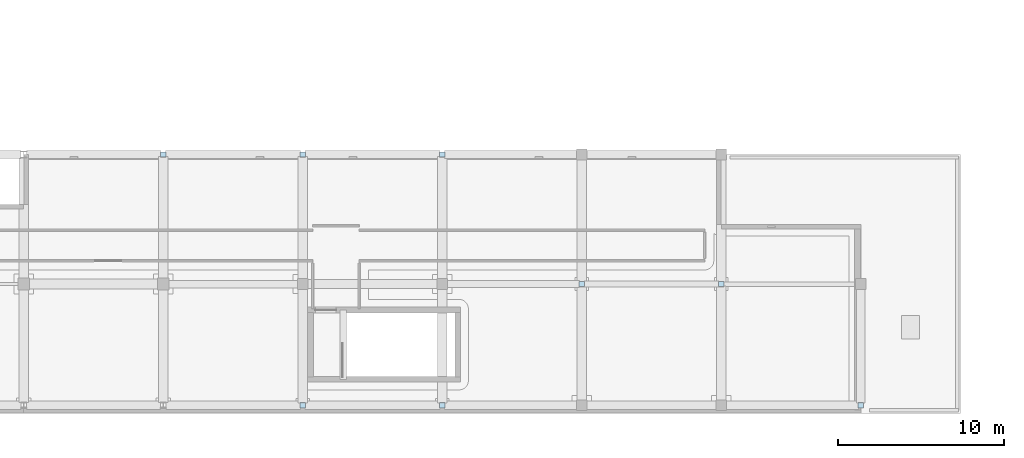
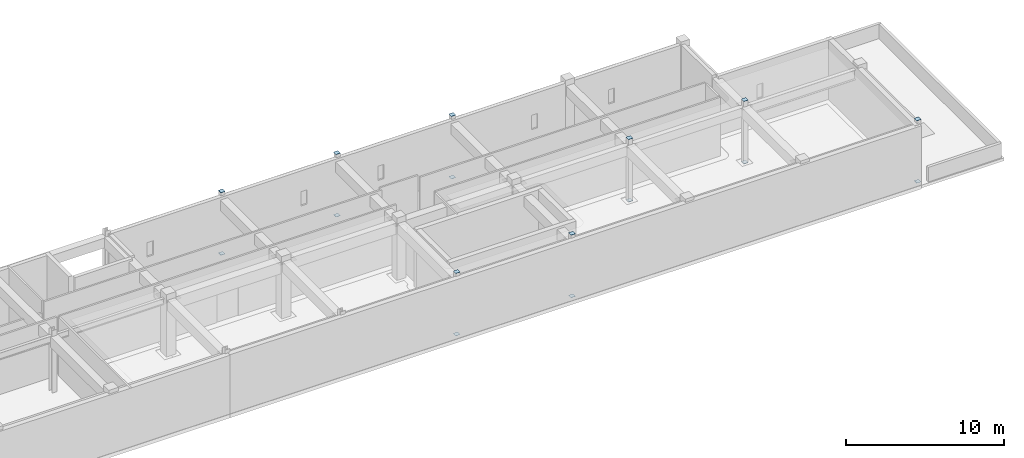
# One storey, part 100 of 123: 16 plates.
"""IFC4 building model written with IfcOpenShell, lengths in metres."""

from ifc_helpers import new_model, si_unit, direction, frame, origin, origin_2d, place, context, subcontext, project, spatial, rectangle, extrude, material, layer, layer_set, type_object, element, save


model = new_model("IFC4")

# Units and contexts
model_context = context("Model", 3, precision=1e-05, world=origin(), true_north=direction((0.0, 1.0)))
body_context = subcontext(model_context, "Body", "Model", "MODEL_VIEW")
ifc_project = project(units=[si_unit("LENGTHUNIT", "METRE"), si_unit("AREAUNIT", "SQUARE_METRE"), si_unit("VOLUMEUNIT", "CUBIC_METRE"), si_unit("PLANEANGLEUNIT", "RADIAN"), si_unit("MASSUNIT", "GRAM", prefix="KILO")], contexts=[model_context])

# Site, building, storey
site_placement = place(None, origin())
site = spatial("IfcSite", under=ifc_project, at=site_placement, CompositionType="ELEMENT")
building_placement = place(site_placement, origin())
building = spatial("IfcBuilding", under=site, at=building_placement, Name="Quendrovan Civic Courthouse", CompositionType="ELEMENT")
storey_placement = place(building_placement, frame((0.0, 0.0, 5.39990234375)))
storey = spatial("IfcBuildingStorey", under=building, at=storey_placement, Name="L02", CompositionType="ELEMENT", Elevation=5.39990234375)

# Plates
ifc_material = material(Name="Steel ASTM A572 Grade 50", Category="steel")
ifc_layer = layer(ifc_material, 0.011962890625, Name="Steel ASTM A572 Grade 50")
ifc_layer_set = layer_set([ifc_layer], Name="Steel ASTM A572 Grade 50")
plate_type = type_object("IfcPlateType", Name="PLT-CAP-12", PredefinedType="SHEET", material=ifc_layer_set)
for number, where, z_axis, x_axis, name in (
    (1, (67.199951171875, 15.60009765625, 4.80029296875), (0.0, 0.0, 1.0), (1.0, 0.0, 0.0), "L02 Hollow Column End Cap Plate COL-L02-9-C-TOP"),
    (2, (67.199951171875, 15.60009765625, -0.01171875), (0.0, 0.0, 1.0), (1.0, 0.0, 0.0), "L02 Hollow Column End Cap Plate COL-L02-9-C-BOT"),
    (3, (75.60009765625, 0.5, 4.80029296875), (0.0, 0.0, 1.0), (1.0, 0.0, 0.0), "L02 Hollow Column End Cap Plate COL-L02-10-A-TOP"),
    (4, (75.60009765625, 0.5, -0.01171875), (0.0, 0.0, 1.0), (1.0, 0.0, 0.0), "L02 Hollow Column End Cap Plate COL-L02-10-A-BOT"),
    (5, (75.60009765625, 15.60009765625, 4.80029296875), (0.0, 0.0, 1.0), (1.0, 0.0, 0.0), "L02 Hollow Column End Cap Plate COL-L02-10-C-TOP"),
    (6, (75.60009765625, 15.60009765625, -0.01171875), (0.0, 0.0, 1.0), (1.0, 0.0, 0.0), "L02 Hollow Column End Cap Plate COL-L02-10-C-BOT"),
    (7, (84.0, 0.5, 4.80029296875), (0.0, 0.0, 1.0), (1.0, 0.0, 0.0), "L02 Hollow Column End Cap Plate COL-L02-11-A-TOP"),
    (8, (84.0, 0.5, -0.01171875), (0.0, 0.0, 1.0), (1.0, 0.0, 0.0), "L02 Hollow Column End Cap Plate COL-L02-11-A-BOT"),
    (9, (84.0, 15.60009765625, 4.80029296875), (0.0, 0.0, 1.0), (1.0, 0.0, 0.0), "L02 Hollow Column End Cap Plate COL-L02-11-C-TOP"),
    (10, (84.0, 15.60009765625, -0.01171875), (0.0, 0.0, 1.0), (1.0, 0.0, 0.0), "L02 Hollow Column End Cap Plate COL-L02-11-C-BOT"),
    (11, (92.39990234375, 7.800048828125, 4.80029296875), (0.0, 0.0, 1.0), (1.0, 0.0, 0.0), "L02 Hollow Column End Cap Plate COL-L02-12-B-TOP"),
    (12, (92.39990234375, 7.800048828125, -0.01171875), (0.0, 0.0, 1.0), (1.0, 0.0, 0.0), "L02 Hollow Column End Cap Plate COL-L02-12-B-BOT"),
    (13, (100.800048828125, 7.800048828125, 4.80029296875), (0.0, 0.0, 1.0), (1.0, 0.0, 0.0), "L02 Hollow Column End Cap Plate COL-L02-13-B-TOP"),
    (14, (100.800048828125, 7.800048828125, -0.01171875), (0.0, 0.0, 1.0), (1.0, 0.0, 0.0), "L02 Hollow Column End Cap Plate COL-L02-13-B-BOT"),
    (15, (109.199951171875, 0.5, 4.80029296875), (0.0, 0.0, 1.0), (1.0, 0.0, 0.0), "L02 Hollow Column End Cap Plate COL-L02-14-A-TOP"),
    (16, (109.199951171875, 0.5, -0.01171875), (0.0, 0.0, 1.0), (1.0, 0.0, 0.0), "L02 Hollow Column End Cap Plate COL-L02-14-A-BOT"),
):
    element("IfcPlate", number, at=place(storey_placement, frame(where, z_axis=z_axis, x_axis=x_axis)), inside=storey, type_object=plate_type, Name=name, PredefinedType="SHEET", context=body_context, shape_type="SweptSolid", body=[
        extrude(rectangle(XDim=0.320068359375, YDim=0.320068359375, at=origin_2d()), origin(), (0.0, 0.0, 1.0), 0.011962890625),
    ])

save(model, "model.ifc")
